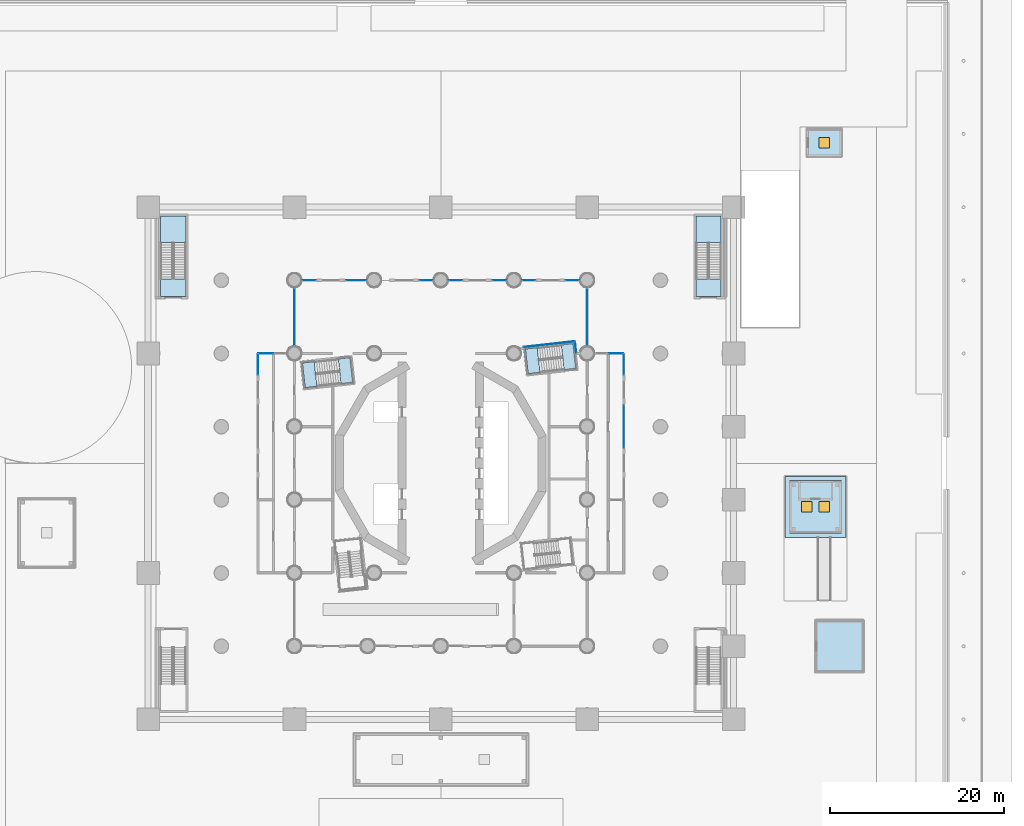
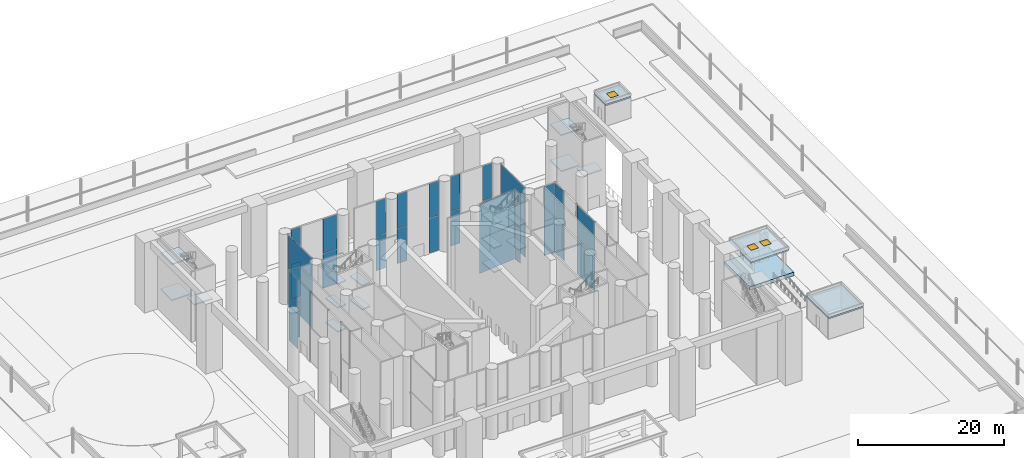
# One storey, part 11 of 52: 32 plates, 20 slabs, 3 windows, 3 openings, 20 elements without a shape of their own.
"""IFC4 building model written with IfcOpenShell, lengths in metres."""

from ifc_helpers import new_model, si_unit, direction, frame, origin, origin_2d, place, context, subcontext, project, spatial, polyline, rectangle, outline, extrude, material, layer, layer_set, type_object, element, fill, aggregate, save


model = new_model("IFC4")

# Units and contexts
model_context = context("Model", 3, precision=1e-05, world=origin(), true_north=direction((0.0, 1.0)))
body_context = subcontext(model_context, "Body", "Model", "MODEL_VIEW")
ifc_project = project(units=[si_unit("LENGTHUNIT", "METRE"), si_unit("AREAUNIT", "SQUARE_METRE"), si_unit("VOLUMEUNIT", "CUBIC_METRE"), si_unit("PLANEANGLEUNIT", "RADIAN"), si_unit("MASSUNIT", "GRAM", prefix="KILO")], contexts=[model_context])

# Site, building, storey
site_placement = place(None, origin())
site = spatial("IfcSite", under=ifc_project, at=site_placement, CompositionType="ELEMENT")
building_placement = place(site_placement, origin())
building = spatial("IfcBuilding", under=site, at=building_placement, Name="Cantera Rosa Tower", CompositionType="ELEMENT")
storey_placement = place(building_placement, origin())
storey = spatial("IfcBuildingStorey", under=building, at=storey_placement, Name="L00", CompositionType="ELEMENT", Elevation=0.0)

# Curtain wall, plates
ifc_material_1 = material(Name="Glass", Category="glass")
curtain_wall_type = type_object("IfcCurtainWallType", Name="Pavilion curtain wall", PredefinedType="NOTDEFINED", material=ifc_material_1)
curtain_wall_1_placement = place(storey_placement, origin())
curtain_wall_1 = element("IfcCurtainWall", 1, at=curtain_wall_1_placement, inside=storey, type_object=curtain_wall_type, Name="Pavilion curtain wall CAFE 1", PredefinedType="NOTDEFINED")
ifc_material_2 = material(Name="Glass", Category="glass")
ifc_layer_1 = layer(ifc_material_2, 0.028076171875)
ifc_layer_set_1 = layer_set([ifc_layer_1], Name="Glazing panel pavilion")
plate_type = type_object("IfcPlateType", Name="Glazing panel pavilion", PredefinedType="CURTAIN_PANEL", material=ifc_layer_set_1)
plate_1_placement = place(storey_placement, frame((21.0, 4.199951171875, 0.06005859375), z_axis=(0.0, 0.0, 1.0), x_axis=(0.0, 1.0, 0.0)))
plate_1 = element("IfcPlate", 2, at=plate_1_placement, type_object=plate_type, Name="CW6 panel 1.1", PredefinedType="CURTAIN_PANEL", context=body_context, shape_type="SweptSolid", body=[
    extrude(rectangle(XDim=4.8798828125, YDim=0.028076171875, at=origin_2d()), origin(), (0.0, 0.0, 1.0), 5.760009765625),
])
plate_2_placement = place(storey_placement, frame((21.0, 4.199951171875, 5.8798828125), z_axis=(0.0, 0.0, 1.0), x_axis=(0.0, 1.0, 0.0)))
plate_2 = element("IfcPlate", 3, at=plate_2_placement, type_object=plate_type, Name="CW6 panel 1.2", PredefinedType="CURTAIN_PANEL", context=body_context, shape_type="SweptSolid", body=[
    extrude(rectangle(XDim=4.8798828125, YDim=0.028076171875, at=origin_2d()), origin(), (0.0, 0.0, 1.0), 5.760009765625),
])
aggregate(curtain_wall_1, [plate_1, plate_2])

curtain_wall_2_placement = place(storey_placement, origin())
curtain_wall_2 = element("IfcCurtainWall", 4, at=curtain_wall_2_placement, inside=storey, type_object=curtain_wall_type, Name="Pavilion curtain wall CAFE 1", PredefinedType="NOTDEFINED")
plate_3_placement = place(storey_placement, frame((21.0, 11.35009765625, 0.06005859375), z_axis=(0.0, 0.0, 1.0), x_axis=(0.0, 1.0, 0.0)))
plate_3 = element("IfcPlate", 5, at=plate_3_placement, type_object=plate_type, Name="CW6 panel 1.1", PredefinedType="CURTAIN_PANEL", context=body_context, shape_type="SweptSolid", body=[
    extrude(rectangle(XDim=2.3798828125, YDim=0.028076171875, at=origin_2d()), origin(), (0.0, 0.0, 1.0), 5.760009765625),
])
plate_4_placement = place(storey_placement, frame((21.0, 11.35009765625, 5.8798828125), z_axis=(0.0, 0.0, 1.0), x_axis=(0.0, 1.0, 0.0)))
plate_4 = element("IfcPlate", 6, at=plate_4_placement, type_object=plate_type, Name="CW6 panel 1.2", PredefinedType="CURTAIN_PANEL", context=body_context, shape_type="SweptSolid", body=[
    extrude(rectangle(XDim=2.3798828125, YDim=0.028076171875, at=origin_2d()), origin(), (0.0, 0.0, 1.0), 5.760009765625),
])
aggregate(curtain_wall_2, [plate_3, plate_4])

curtain_wall_3_placement = place(storey_placement, origin())
curtain_wall_3 = element("IfcCurtainWall", 7, at=curtain_wall_3_placement, inside=storey, type_object=curtain_wall_type, Name="Pavilion curtain wall CAFE 2", PredefinedType="NOTDEFINED")
plate_5_placement = place(storey_placement, frame((20.10009765625, 12.60009765625, 0.06005859375), z_axis=(0.0, 0.0, 1.0), x_axis=(-1.0, 0.0, 0.0)))
plate_5 = element("IfcPlate", 8, at=plate_5_placement, type_object=plate_type, Name="CW6 panel 1.1", PredefinedType="CURTAIN_PANEL", context=body_context, shape_type="SweptSolid", body=[
    extrude(rectangle(XDim=1.679931640625, YDim=0.028076171875, at=origin_2d()), origin(), (0.0, 0.0, 1.0), 5.760009765625),
])
plate_6_placement = place(storey_placement, frame((20.10009765625, 12.60009765625, 5.8798828125), z_axis=(0.0, 0.0, 1.0), x_axis=(-1.0, 0.0, 0.0)))
plate_6 = element("IfcPlate", 9, at=plate_6_placement, type_object=plate_type, Name="CW6 panel 1.2", PredefinedType="CURTAIN_PANEL", context=body_context, shape_type="SweptSolid", body=[
    extrude(rectangle(XDim=1.679931640625, YDim=0.028076171875, at=origin_2d()), origin(), (0.0, 0.0, 1.0), 5.760009765625),
])
aggregate(curtain_wall_3, [plate_5, plate_6])

curtain_wall_4_placement = place(storey_placement, origin())
curtain_wall_4 = element("IfcCurtainWall", 10, at=curtain_wall_4_placement, inside=storey, type_object=curtain_wall_type, Name="Pavilion curtain wall HOTEL 3", PredefinedType="NOTDEFINED")
plate_7_placement = place(storey_placement, frame((-1.679931640625, 21.0, 0.06005859375), z_axis=(0.0, 0.0, 1.0), x_axis=(1.0, 0.0, 0.0)))
plate_7 = element("IfcPlate", 11, at=plate_7_placement, type_object=plate_type, Name="CW6 panel 1.1", PredefinedType="CURTAIN_PANEL", context=body_context, shape_type="SweptSolid", body=[
    extrude(rectangle(XDim=1.52001953125, YDim=0.028076171875, at=origin_2d()), origin(), (0.0, 0.0, 1.0), 5.760009765625),
])
plate_8_placement = place(storey_placement, frame((-1.679931640625, 21.0, 5.8798828125), z_axis=(0.0, 0.0, 1.0), x_axis=(1.0, 0.0, 0.0)))
plate_8 = element("IfcPlate", 12, at=plate_8_placement, type_object=plate_type, Name="CW6 panel 1.2", PredefinedType="CURTAIN_PANEL", context=body_context, shape_type="SweptSolid", body=[
    extrude(rectangle(XDim=1.52001953125, YDim=0.028076171875, at=origin_2d()), origin(), (0.0, 0.0, 1.0), 5.760009765625),
])
aggregate(curtain_wall_4, [plate_7, plate_8])

curtain_wall_5_placement = place(storey_placement, origin())
curtain_wall_5 = element("IfcCurtainWall", 13, at=curtain_wall_5_placement, inside=storey, type_object=curtain_wall_type, Name="Pavilion curtain wall HOTEL 3", PredefinedType="NOTDEFINED")
plate_9_placement = place(storey_placement, frame((1.679931640625, 21.0, 0.06005859375), z_axis=(0.0, 0.0, 1.0), x_axis=(1.0, 0.0, 0.0)))
plate_9 = element("IfcPlate", 14, at=plate_9_placement, type_object=plate_type, Name="CW6 panel 1.1", PredefinedType="CURTAIN_PANEL", context=body_context, shape_type="SweptSolid", body=[
    extrude(rectangle(XDim=1.52001953125, YDim=0.028076171875, at=origin_2d()), origin(), (0.0, 0.0, 1.0), 5.760009765625),
])
plate_10_placement = place(storey_placement, frame((1.679931640625, 21.0, 5.8798828125), z_axis=(0.0, 0.0, 1.0), x_axis=(1.0, 0.0, 0.0)))
plate_10 = element("IfcPlate", 15, at=plate_10_placement, type_object=plate_type, Name="CW6 panel 1.2", PredefinedType="CURTAIN_PANEL", context=body_context, shape_type="SweptSolid", body=[
    extrude(rectangle(XDim=1.52001953125, YDim=0.028076171875, at=origin_2d()), origin(), (0.0, 0.0, 1.0), 5.760009765625),
])
aggregate(curtain_wall_5, [plate_9, plate_10])

curtain_wall_6_placement = place(storey_placement, origin())
curtain_wall_6 = element("IfcCurtainWall", 16, at=curtain_wall_6_placement, inside=storey, type_object=curtain_wall_type, Name="Pavilion curtain wall HOTEL 3", PredefinedType="NOTDEFINED")
plate_11_placement = place(storey_placement, frame((6.719970703125, 21.0, 0.06005859375), z_axis=(0.0, 0.0, 1.0), x_axis=(1.0, 0.0, 0.0)))
plate_11 = element("IfcPlate", 17, at=plate_11_placement, type_object=plate_type, Name="CW6 panel 1.1", PredefinedType="CURTAIN_PANEL", context=body_context, shape_type="SweptSolid", body=[
    extrude(rectangle(XDim=1.52001953125, YDim=0.028076171875, at=origin_2d()), origin(), (0.0, 0.0, 1.0), 5.760009765625),
])
plate_12_placement = place(storey_placement, frame((6.719970703125, 21.0, 5.8798828125), z_axis=(0.0, 0.0, 1.0), x_axis=(1.0, 0.0, 0.0)))
plate_12 = element("IfcPlate", 18, at=plate_12_placement, type_object=plate_type, Name="CW6 panel 1.2", PredefinedType="CURTAIN_PANEL", context=body_context, shape_type="SweptSolid", body=[
    extrude(rectangle(XDim=1.52001953125, YDim=0.028076171875, at=origin_2d()), origin(), (0.0, 0.0, 1.0), 5.760009765625),
])
aggregate(curtain_wall_6, [plate_11, plate_12])

curtain_wall_7_placement = place(storey_placement, origin())
curtain_wall_7 = element("IfcCurtainWall", 19, at=curtain_wall_7_placement, inside=storey, type_object=curtain_wall_type, Name="Pavilion curtain wall HOTEL 3", PredefinedType="NOTDEFINED")
plate_13_placement = place(storey_placement, frame((10.080078125, 21.0, 0.06005859375), z_axis=(0.0, 0.0, 1.0), x_axis=(1.0, 0.0, 0.0)))
plate_13 = element("IfcPlate", 20, at=plate_13_placement, type_object=plate_type, Name="CW6 panel 1.1", PredefinedType="CURTAIN_PANEL", context=body_context, shape_type="SweptSolid", body=[
    extrude(rectangle(XDim=1.52001953125, YDim=0.028076171875, at=origin_2d()), origin(), (0.0, 0.0, 1.0), 5.760009765625),
])
plate_14_placement = place(storey_placement, frame((10.080078125, 21.0, 5.8798828125), z_axis=(0.0, 0.0, 1.0), x_axis=(1.0, 0.0, 0.0)))
plate_14 = element("IfcPlate", 21, at=plate_14_placement, type_object=plate_type, Name="CW6 panel 1.2", PredefinedType="CURTAIN_PANEL", context=body_context, shape_type="SweptSolid", body=[
    extrude(rectangle(XDim=1.52001953125, YDim=0.028076171875, at=origin_2d()), origin(), (0.0, 0.0, 1.0), 5.760009765625),
])
aggregate(curtain_wall_7, [plate_13, plate_14])

curtain_wall_8_placement = place(storey_placement, origin())
curtain_wall_8 = element("IfcCurtainWall", 22, at=curtain_wall_8_placement, inside=storey, type_object=curtain_wall_type, Name="Pavilion curtain wall HOTEL 3", PredefinedType="NOTDEFINED")
plate_15_placement = place(storey_placement, frame((15.1201171875, 21.0, 0.06005859375), z_axis=(0.0, 0.0, 1.0), x_axis=(1.0, 0.0, 0.0)))
plate_15 = element("IfcPlate", 23, at=plate_15_placement, type_object=plate_type, Name="CW6 panel 1.1", PredefinedType="CURTAIN_PANEL", context=body_context, shape_type="SweptSolid", body=[
    extrude(rectangle(XDim=1.52001953125, YDim=0.028076171875, at=origin_2d()), origin(), (0.0, 0.0, 1.0), 5.760009765625),
])
plate_16_placement = place(storey_placement, frame((15.1201171875, 21.0, 5.8798828125), z_axis=(0.0, 0.0, 1.0), x_axis=(1.0, 0.0, 0.0)))
plate_16 = element("IfcPlate", 24, at=plate_16_placement, type_object=plate_type, Name="CW6 panel 1.2", PredefinedType="CURTAIN_PANEL", context=body_context, shape_type="SweptSolid", body=[
    extrude(rectangle(XDim=1.52001953125, YDim=0.028076171875, at=origin_2d()), origin(), (0.0, 0.0, 1.0), 5.760009765625),
])
aggregate(curtain_wall_8, [plate_15, plate_16])

curtain_wall_9_placement = place(storey_placement, origin())
curtain_wall_9 = element("IfcCurtainWall", 25, at=curtain_wall_9_placement, inside=storey, type_object=curtain_wall_type, Name="Pavilion curtain wall HOTEL 4", PredefinedType="NOTDEFINED")
plate_17_placement = place(storey_placement, frame((16.800048828125, 16.800048828125, 0.06005859375), z_axis=(0.0, 0.0, 1.0), x_axis=(0.0, -1.0, 0.0)))
plate_17 = element("IfcPlate", 26, at=plate_17_placement, type_object=plate_type, Name="CW6 panel 1.1", PredefinedType="CURTAIN_PANEL", context=body_context, shape_type="SweptSolid", body=[
    extrude(rectangle(XDim=6.56005859375, YDim=0.028076171875, at=origin_2d()), origin(), (0.0, 0.0, 1.0), 5.760009765625),
])
plate_18_placement = place(storey_placement, frame((16.800048828125, 16.800048828125, 5.8798828125), z_axis=(0.0, 0.0, 1.0), x_axis=(0.0, -1.0, 0.0)))
plate_18 = element("IfcPlate", 27, at=plate_18_placement, type_object=plate_type, Name="CW6 panel 1.2", PredefinedType="CURTAIN_PANEL", context=body_context, shape_type="SweptSolid", body=[
    extrude(rectangle(XDim=6.56005859375, YDim=0.028076171875, at=origin_2d()), origin(), (0.0, 0.0, 1.0), 5.760009765625),
])
aggregate(curtain_wall_9, [plate_17, plate_18])

curtain_wall_10_placement = place(storey_placement, origin())
curtain_wall_10 = element("IfcCurtainWall", 28, at=curtain_wall_10_placement, inside=storey, type_object=curtain_wall_type, Name="Pavilion curtain wall HOTEL 5", PredefinedType="NOTDEFINED")
plate_19_placement = place(storey_placement, frame((15.474365234375, 13.2978515625, 0.06005859375), z_axis=(0.0, 0.0, 1.0), x_axis=(-0.110314278719, 0.993896755156, 0.0)))
plate_19 = element("IfcPlate", 29, at=plate_19_placement, type_object=plate_type, Name="CW6 panel 1.1", PredefinedType="CURTAIN_PANEL", context=body_context, shape_type="SweptSolid", body=[
    extrude(rectangle(XDim=1.2841796875, YDim=0.028076171875, at=origin_2d()), origin(), (0.0, 0.0, 1.0), 5.760009765625),
])
plate_20_placement = place(storey_placement, frame((15.474365234375, 13.2978515625, 5.8798828125), z_axis=(0.0, 0.0, 1.0), x_axis=(-0.110314278719, 0.993896755156, 0.0)))
plate_20 = element("IfcPlate", 30, at=plate_20_placement, type_object=plate_type, Name="CW6 panel 1.2", PredefinedType="CURTAIN_PANEL", context=body_context, shape_type="SweptSolid", body=[
    extrude(rectangle(XDim=1.2841796875, YDim=0.028076171875, at=origin_2d()), origin(), (0.0, 0.0, 1.0), 5.760009765625),
])
aggregate(curtain_wall_10, [plate_19, plate_20])

curtain_wall_11_placement = place(storey_placement, origin())
curtain_wall_11 = element("IfcCurtainWall", 31, at=curtain_wall_11_placement, inside=storey, type_object=curtain_wall_type, Name="Pavilion curtain wall HOTEL 6", PredefinedType="NOTDEFINED")
plate_21_placement = place(storey_placement, frame((12.415283203125, 13.664794921875, 0.06005859375), z_axis=(0.0, 0.0, 1.0), x_axis=(-0.993896532825, -0.110316281838, 0.0)))
plate_21 = element("IfcPlate", 32, at=plate_21_placement, type_object=plate_type, Name="CW6 panel 1.1", PredefinedType="CURTAIN_PANEL", context=body_context, shape_type="SweptSolid", body=[
    extrude(rectangle(XDim=5.880126953125, YDim=0.028076171875, at=origin_2d()), origin(), (0.0, 0.0, 1.0), 5.760009765625),
])
plate_22_placement = place(storey_placement, frame((12.415283203125, 13.664794921875, 5.8798828125), z_axis=(0.0, 0.0, 1.0), x_axis=(-0.993896532825, -0.110316281838, 0.0)))
plate_22 = element("IfcPlate", 33, at=plate_22_placement, type_object=plate_type, Name="CW6 panel 1.2", PredefinedType="CURTAIN_PANEL", context=body_context, shape_type="SweptSolid", body=[
    extrude(rectangle(XDim=5.880126953125, YDim=0.028076171875, at=origin_2d()), origin(), (0.0, 0.0, 1.0), 5.760009765625),
])
aggregate(curtain_wall_11, [plate_21, plate_22])

curtain_wall_12_placement = place(storey_placement, origin())
curtain_wall_12 = element("IfcCurtainWall", 34, at=curtain_wall_12_placement, inside=storey, type_object=curtain_wall_type, Name="Pavilion curtain wall LOUNGE 8", PredefinedType="NOTDEFINED")
plate_23_placement = place(storey_placement, frame((-20.10009765625, 12.60009765625, 0.06005859375), z_axis=(0.0, 0.0, 1.0), x_axis=(-1.0, 0.0, 0.0)))
plate_23 = element("IfcPlate", 35, at=plate_23_placement, type_object=plate_type, Name="CW6 panel 1.1", PredefinedType="CURTAIN_PANEL", context=body_context, shape_type="SweptSolid", body=[
    extrude(rectangle(XDim=1.679931640625, YDim=0.028076171875, at=origin_2d()), origin(), (0.0, 0.0, 1.0), 5.760009765625),
])
plate_24_placement = place(storey_placement, frame((-20.10009765625, 12.60009765625, 5.8798828125), z_axis=(0.0, 0.0, 1.0), x_axis=(-1.0, 0.0, 0.0)))
plate_24 = element("IfcPlate", 36, at=plate_24_placement, type_object=plate_type, Name="CW6 panel 1.2", PredefinedType="CURTAIN_PANEL", context=body_context, shape_type="SweptSolid", body=[
    extrude(rectangle(XDim=1.679931640625, YDim=0.028076171875, at=origin_2d()), origin(), (0.0, 0.0, 1.0), 5.760009765625),
])
aggregate(curtain_wall_12, [plate_23, plate_24])

curtain_wall_13_placement = place(storey_placement, origin())
curtain_wall_13 = element("IfcCurtainWall", 37, at=curtain_wall_13_placement, inside=storey, type_object=curtain_wall_type, Name="Pavilion curtain wall LOUNGE 9", PredefinedType="NOTDEFINED")
plate_25_placement = place(storey_placement, frame((-21.0, 11.35009765625, 0.06005859375), z_axis=(0.0, 0.0, 1.0), x_axis=(0.0, -1.0, 0.0)))
plate_25 = element("IfcPlate", 38, at=plate_25_placement, type_object=plate_type, Name="CW6 panel 1.1", PredefinedType="CURTAIN_PANEL", context=body_context, shape_type="SweptSolid", body=[
    extrude(rectangle(XDim=2.3798828125, YDim=0.028076171875, at=origin_2d()), origin(), (0.0, 0.0, 1.0), 5.760009765625),
])
plate_26_placement = place(storey_placement, frame((-21.0, 11.35009765625, 5.8798828125), z_axis=(0.0, 0.0, 1.0), x_axis=(0.0, -1.0, 0.0)))
plate_26 = element("IfcPlate", 39, at=plate_26_placement, type_object=plate_type, Name="CW6 panel 1.2", PredefinedType="CURTAIN_PANEL", context=body_context, shape_type="SweptSolid", body=[
    extrude(rectangle(XDim=2.3798828125, YDim=0.028076171875, at=origin_2d()), origin(), (0.0, 0.0, 1.0), 5.760009765625),
])
aggregate(curtain_wall_13, [plate_25, plate_26])

curtain_wall_14_placement = place(storey_placement, origin())
curtain_wall_14 = element("IfcCurtainWall", 40, at=curtain_wall_14_placement, inside=storey, type_object=curtain_wall_type, Name="Pavilion curtain wall RECEP 10", PredefinedType="NOTDEFINED")
plate_27_placement = place(storey_placement, frame((-16.800048828125, 16.800048828125, 0.06005859375), z_axis=(0.0, 0.0, 1.0), x_axis=(0.0, 1.0, 0.0)))
plate_27 = element("IfcPlate", 41, at=plate_27_placement, type_object=plate_type, Name="CW6 panel 1.1", PredefinedType="CURTAIN_PANEL", context=body_context, shape_type="SweptSolid", body=[
    extrude(rectangle(XDim=6.56005859375, YDim=0.028076171875, at=origin_2d()), origin(), (0.0, 0.0, 1.0), 5.760009765625),
])
plate_28_placement = place(storey_placement, frame((-16.800048828125, 16.800048828125, 5.8798828125), z_axis=(0.0, 0.0, 1.0), x_axis=(0.0, 1.0, 0.0)))
plate_28 = element("IfcPlate", 42, at=plate_28_placement, type_object=plate_type, Name="CW6 panel 1.2", PredefinedType="CURTAIN_PANEL", context=body_context, shape_type="SweptSolid", body=[
    extrude(rectangle(XDim=6.56005859375, YDim=0.028076171875, at=origin_2d()), origin(), (0.0, 0.0, 1.0), 5.760009765625),
])
aggregate(curtain_wall_14, [plate_27, plate_28])

curtain_wall_15_placement = place(storey_placement, origin())
curtain_wall_15 = element("IfcCurtainWall", 43, at=curtain_wall_15_placement, inside=storey, type_object=curtain_wall_type, Name="Pavilion curtain wall RECEP 11", PredefinedType="NOTDEFINED")
plate_29_placement = place(storey_placement, frame((-15.1201171875, 21.0, 0.06005859375), z_axis=(0.0, 0.0, 1.0), x_axis=(1.0, 0.0, 0.0)))
plate_29 = element("IfcPlate", 44, at=plate_29_placement, type_object=plate_type, Name="CW6 panel 1.1", PredefinedType="CURTAIN_PANEL", context=body_context, shape_type="SweptSolid", body=[
    extrude(rectangle(XDim=1.52001953125, YDim=0.028076171875, at=origin_2d()), origin(), (0.0, 0.0, 1.0), 5.760009765625),
])
plate_30_placement = place(storey_placement, frame((-15.1201171875, 21.0, 5.8798828125), z_axis=(0.0, 0.0, 1.0), x_axis=(1.0, 0.0, 0.0)))
plate_30 = element("IfcPlate", 45, at=plate_30_placement, type_object=plate_type, Name="CW6 panel 1.2", PredefinedType="CURTAIN_PANEL", context=body_context, shape_type="SweptSolid", body=[
    extrude(rectangle(XDim=1.52001953125, YDim=0.028076171875, at=origin_2d()), origin(), (0.0, 0.0, 1.0), 5.760009765625),
])
aggregate(curtain_wall_15, [plate_29, plate_30])

curtain_wall_16_placement = place(storey_placement, origin())
curtain_wall_16 = element("IfcCurtainWall", 46, at=curtain_wall_16_placement, inside=storey, type_object=curtain_wall_type, Name="Pavilion curtain wall RECEP 11", PredefinedType="NOTDEFINED")
plate_31_placement = place(storey_placement, frame((-9.705078125, 21.0, 0.06005859375), z_axis=(0.0, 0.0, 1.0), x_axis=(1.0, 0.0, 0.0)))
plate_31 = element("IfcPlate", 47, at=plate_31_placement, type_object=plate_type, Name="CW6 panel 1.1", PredefinedType="CURTAIN_PANEL", context=body_context, shape_type="SweptSolid", body=[
    extrude(rectangle(XDim=2.27001953125, YDim=0.028076171875, at=origin_2d()), origin(), (0.0, 0.0, 1.0), 5.760009765625),
])
plate_32_placement = place(storey_placement, frame((-9.705078125, 21.0, 5.8798828125), z_axis=(0.0, 0.0, 1.0), x_axis=(1.0, 0.0, 0.0)))
plate_32 = element("IfcPlate", 48, at=plate_32_placement, type_object=plate_type, Name="CW6 panel 1.2", PredefinedType="CURTAIN_PANEL", context=body_context, shape_type="SweptSolid", body=[
    extrude(rectangle(XDim=2.27001953125, YDim=0.028076171875, at=origin_2d()), origin(), (0.0, 0.0, 1.0), 5.760009765625),
])
aggregate(curtain_wall_16, [plate_31, plate_32])

# Slab
ifc_material_3 = material(Name="Concrete C35/45", Category="concrete")
ifc_layer_2 = layer(ifc_material_3, 0.60009765625)
ifc_layer_set_2 = layer_set([ifc_layer_2], Name="Pavilion plinth slab 600")
slab_type_1 = type_object("IfcSlabType", Name="Pavilion plinth slab 600", PredefinedType="FLOOR", material=ifc_layer_set_2)
slab_1_placement = place(storey_placement, origin())
element("IfcSlab", 49, at=slab_1_placement, inside=storey, type_object=slab_type_1, Name="Plinth of the tea pavilion", PredefinedType="FLOOR", context=body_context, shape_type="SweptSolid", body=[
    extrude(outline(polyline([(46.5, -8.5), (46.5, -1.5), (39.5, -1.5), (39.5, -8.5), (46.5, -8.5)])), origin(), (0.0, 0.0, 1.0), 0.60009765625),
])

# Slab, opening, window
ifc_material_4 = material(Name="Concrete C35/45", Category="concrete")
ifc_layer_3 = layer(ifc_material_4, 0.25)
ifc_layer_set_3 = layer_set([ifc_layer_3], Name="Pavilion roof slab 250")
slab_type_2 = type_object("IfcSlabType", Name="Pavilion roof slab 250", PredefinedType="ROOF", material=ifc_layer_set_3)
slab_2_placement = place(storey_placement, frame((0.0, 0.0, 3.39990234375)))
slab_2 = element("IfcSlab", 50, at=slab_2_placement, inside=storey, type_object=slab_type_2, Name="Roof of the car park gatehouse", PredefinedType="ROOF", context=body_context, shape_type="SweptSolid", body=[
    extrude(outline(polyline([(46.0, 35.199951171875), (46.0, 38.39990234375), (42.0, 38.39990234375), (42.0, 35.199951171875), (46.0, 35.199951171875)])), origin(), (0.0, 0.0, 1.0), 0.25),
])
opening_1_placement = place(slab_2_placement, frame((44.0, 36.800048828125, 0.0)))
opening_1 = element("IfcOpeningElement", 51, at=opening_1_placement, cuts=slab_2, Name="Opening SK-GATE-1", PredefinedType="OPENING", context=body_context, shape_type="SweptSolid", body=[
    extrude(rectangle(XDim=1.199951171875, YDim=1.199951171875, at=origin_2d()), origin(), (0.0, 0.0, 1.0), 0.25),
])
ifc_material_5 = material(Name="Glass", Category="glass")
window_type = type_object("IfcWindowType", Name="Roof light unit 1200x1200", PartitioningType="SINGLE_PANEL", PredefinedType="SKYLIGHT", material=ifc_material_5)
window_1_placement = place(opening_1_placement, frame((0.0, 0.0, 0.199951171875)))
window_1 = element("IfcWindow", 52, at=window_1_placement, inside=storey, type_object=window_type, Name="Roof light car park gatehouse 1", OverallHeight=1.199951171875, OverallWidth=1.199951171875, PartitioningType="SINGLE_PANEL", PredefinedType="SKYLIGHT", context=body_context, shape_type="SweptSolid", body=[
    extrude(rectangle(XDim=1.199951171875, YDim=1.199951171875, at=origin_2d()), origin(), (0.0, 0.0, 1.0), 0.050048828125),
])
fill(opening_1, window_1)

# Slab
slab_3_placement = place(storey_placement, frame((0.0, 0.0, 3.39990234375)))
element("IfcSlab", 53, at=slab_3_placement, inside=storey, type_object=slab_type_2, Name="Roof of the electrical substation kiosk", PredefinedType="ROOF", context=body_context, shape_type="SweptSolid", body=[
    extrude(outline(polyline([(48.5, -24.0), (48.5, -18.0), (43.0, -18.0), (43.0, -24.0), (48.5, -24.0)])), origin(), (0.0, 0.0, 1.0), 0.25),
])

# Slab, openings, windows
slab_4_placement = place(storey_placement, frame((0.0, 0.0, 4.0)))
slab_4 = element("IfcSlab", 54, at=slab_4_placement, inside=storey, type_object=slab_type_2, Name="Roof of the tea pavilion", PredefinedType="ROOF", context=body_context, shape_type="SweptSolid", body=[
    extrude(outline(polyline([(46.0, -8.0), (46.0, -2.0), (40.0, -2.0), (40.0, -8.0), (46.0, -8.0)])), origin(), (0.0, 0.0, 1.0), 0.25),
])
opening_2_placement = place(slab_4_placement, frame((42.0, -5.0, 0.0)))
opening_2 = element("IfcOpeningElement", 55, at=opening_2_placement, cuts=slab_4, Name="Opening SK-TEA-1", PredefinedType="OPENING", context=body_context, shape_type="SweptSolid", body=[
    extrude(rectangle(XDim=1.199951171875, YDim=1.199951171875, at=origin_2d()), origin(), (0.0, 0.0, 1.0), 0.25),
])
opening_3_placement = place(slab_4_placement, frame((44.0, -5.0, 0.0)))
opening_3 = element("IfcOpeningElement", 56, at=opening_3_placement, cuts=slab_4, Name="Opening SK-TEA-2", PredefinedType="OPENING", context=body_context, shape_type="SweptSolid", body=[
    extrude(rectangle(XDim=1.199951171875, YDim=1.199951171875, at=origin_2d()), origin(), (0.0, 0.0, 1.0), 0.25),
])
window_2_placement = place(opening_2_placement, frame((0.0, 0.0, 0.199951171875)))
window_2 = element("IfcWindow", 57, at=window_2_placement, inside=storey, type_object=window_type, Name="Roof light tea pavilion 1", OverallHeight=1.199951171875, OverallWidth=1.199951171875, PartitioningType="SINGLE_PANEL", PredefinedType="SKYLIGHT", context=body_context, shape_type="SweptSolid", body=[
    extrude(rectangle(XDim=1.199951171875, YDim=1.199951171875, at=origin_2d()), origin(), (0.0, 0.0, 1.0), 0.050048828125),
])
fill(opening_2, window_2)
window_3_placement = place(opening_3_placement, frame((0.0, 0.0, 0.199951171875)))
window_3 = element("IfcWindow", 58, at=window_3_placement, inside=storey, type_object=window_type, Name="Roof light tea pavilion 2", OverallHeight=1.199951171875, OverallWidth=1.199951171875, PartitioningType="SINGLE_PANEL", PredefinedType="SKYLIGHT", context=body_context, shape_type="SweptSolid", body=[
    extrude(rectangle(XDim=1.199951171875, YDim=1.199951171875, at=origin_2d()), origin(), (0.0, 0.0, 1.0), 0.050048828125),
])
fill(opening_3, window_3)

# Stair, slabs
ifc_material_6 = material(Name="Concrete C35/45", Category="concrete")
stair_type_1 = type_object("IfcStairType", Name="EXIT STAIR 1350 DOGLEG", PredefinedType="HALF_TURN_STAIR", material=ifc_material_6)
stair_1_placement = place(storey_placement, origin())
stair_1 = element("IfcStair", 59, at=stair_1_placement, inside=storey, type_object=stair_type_1, Name="L00 ST-11", PredefinedType="HALF_TURN_STAIR")
ifc_material_7 = material(Name="Concrete C35/45", Category="concrete")
ifc_layer_4 = layer(ifc_material_7, 0.199951171875)
ifc_layer_set_4 = layer_set([ifc_layer_4], Name="STAIR LANDING 200")
slab_type_3 = type_object("IfcSlabType", Name="STAIR LANDING 200", PredefinedType="LANDING", material=ifc_layer_set_4)
slab_5_placement = place(storey_placement, frame((0.0, 0.0, 1.800048828125)))
slab_5 = element("IfcSlab", 60, at=slab_5_placement, type_object=slab_type_3, Name="ST-11 landing 1", PredefinedType="LANDING", context=body_context, shape_type="SweptSolid", body=[
    extrude(outline(polyline([(11.063232421875, 13.26318359375), (9.70947265625, 13.113037109375), (10.02392578125, 10.2802734375), (11.377685546875, 10.4306640625), (11.063232421875, 13.26318359375)])), origin(), (0.0, 0.0, 1.0), 0.199951171875),
])
slab_6_placement = place(storey_placement, frame((0.0, 0.0, 3.800048828125)))
slab_6 = element("IfcSlab", 61, at=slab_6_placement, type_object=slab_type_3, Name="ST-11 landing 2", PredefinedType="LANDING", context=body_context, shape_type="SweptSolid", body=[
    extrude(outline(polyline([(15.176025390625, 13.7197265625), (13.822265625, 13.5693359375), (14.13671875, 10.73681640625), (15.490478515625, 10.886962890625), (15.176025390625, 13.7197265625)])), origin(), (0.0, 0.0, 1.0), 0.199951171875),
])
slab_7_placement = place(storey_placement, frame((0.0, 0.0, 5.800048828125)))
slab_7 = element("IfcSlab", 62, at=slab_7_placement, type_object=slab_type_3, Name="ST-11 landing 3", PredefinedType="LANDING", context=body_context, shape_type="SweptSolid", body=[
    extrude(outline(polyline([(11.063232421875, 13.26318359375), (9.70947265625, 13.113037109375), (10.02392578125, 10.2802734375), (11.377685546875, 10.4306640625), (11.063232421875, 13.26318359375)])), origin(), (0.0, 0.0, 1.0), 0.199951171875),
])
slab_8_placement = place(storey_placement, frame((0.0, 0.0, 7.800048828125)))
slab_8 = element("IfcSlab", 63, at=slab_8_placement, type_object=slab_type_3, Name="ST-11 landing 4", PredefinedType="LANDING", context=body_context, shape_type="SweptSolid", body=[
    extrude(outline(polyline([(15.176025390625, 13.7197265625), (13.822265625, 13.5693359375), (14.13671875, 10.73681640625), (15.490478515625, 10.886962890625), (15.176025390625, 13.7197265625)])), origin(), (0.0, 0.0, 1.0), 0.199951171875),
])
slab_9_placement = place(storey_placement, frame((0.0, 0.0, 9.800048828125)))
slab_9 = element("IfcSlab", 64, at=slab_9_placement, type_object=slab_type_3, Name="ST-11 landing 5", PredefinedType="LANDING", context=body_context, shape_type="SweptSolid", body=[
    extrude(outline(polyline([(11.063232421875, 13.26318359375), (9.70947265625, 13.113037109375), (10.02392578125, 10.2802734375), (11.377685546875, 10.4306640625), (11.063232421875, 13.26318359375)])), origin(), (0.0, 0.0, 1.0), 0.199951171875),
])
aggregate(stair_1, [slab_5, slab_6, slab_7, slab_8, slab_9])

stair_2_placement = place(storey_placement, origin())
stair_2 = element("IfcStair", 65, at=stair_2_placement, inside=storey, type_object=stair_type_1, Name="L00 ST-12", PredefinedType="HALF_TURN_STAIR")
slab_10_placement = place(storey_placement, frame((0.0, 0.0, 1.800048828125)))
slab_10 = element("IfcSlab", 66, at=slab_10_placement, type_object=slab_type_3, Name="ST-12 landing 1", PredefinedType="LANDING", context=body_context, shape_type="SweptSolid", body=[
    extrude(outline(polyline([(-14.53662109375, 11.6630859375), (-15.890380859375, 11.512939453125), (-15.575927734375, 8.680419921875), (-14.222412109375, 8.83056640625), (-14.53662109375, 11.6630859375)])), origin(), (0.0, 0.0, 1.0), 0.199951171875),
])
slab_11_placement = place(storey_placement, frame((0.0, 0.0, 3.800048828125)))
slab_11 = element("IfcSlab", 67, at=slab_11_placement, type_object=slab_type_3, Name="ST-12 landing 2", PredefinedType="LANDING", context=body_context, shape_type="SweptSolid", body=[
    extrude(outline(polyline([(-10.424072265625, 12.11962890625), (-11.777587890625, 11.969482421875), (-11.46337890625, 9.13671875), (-10.109619140625, 9.287109375), (-10.424072265625, 12.11962890625)])), origin(), (0.0, 0.0, 1.0), 0.199951171875),
])
slab_12_placement = place(storey_placement, frame((0.0, 0.0, 5.800048828125)))
slab_12 = element("IfcSlab", 68, at=slab_12_placement, type_object=slab_type_3, Name="ST-12 landing 3", PredefinedType="LANDING", context=body_context, shape_type="SweptSolid", body=[
    extrude(outline(polyline([(-14.53662109375, 11.6630859375), (-15.890380859375, 11.512939453125), (-15.575927734375, 8.680419921875), (-14.222412109375, 8.83056640625), (-14.53662109375, 11.6630859375)])), origin(), (0.0, 0.0, 1.0), 0.199951171875),
])
slab_13_placement = place(storey_placement, frame((0.0, 0.0, 7.800048828125)))
slab_13 = element("IfcSlab", 69, at=slab_13_placement, type_object=slab_type_3, Name="ST-12 landing 4", PredefinedType="LANDING", context=body_context, shape_type="SweptSolid", body=[
    extrude(outline(polyline([(-10.424072265625, 12.11962890625), (-11.777587890625, 11.969482421875), (-11.46337890625, 9.13671875), (-10.109619140625, 9.287109375), (-10.424072265625, 12.11962890625)])), origin(), (0.0, 0.0, 1.0), 0.199951171875),
])
slab_14_placement = place(storey_placement, frame((0.0, 0.0, 9.800048828125)))
slab_14 = element("IfcSlab", 70, at=slab_14_placement, type_object=slab_type_3, Name="ST-12 landing 5", PredefinedType="LANDING", context=body_context, shape_type="SweptSolid", body=[
    extrude(outline(polyline([(-14.53662109375, 11.6630859375), (-15.890380859375, 11.512939453125), (-15.575927734375, 8.680419921875), (-14.222412109375, 8.83056640625), (-14.53662109375, 11.6630859375)])), origin(), (0.0, 0.0, 1.0), 0.199951171875),
])
aggregate(stair_2, [slab_10, slab_11, slab_12, slab_13, slab_14])

ifc_material_8 = material(Name="Concrete C35/45", Category="concrete")
stair_type_2 = type_object("IfcStairType", Name="Stair half-turn 1350", PredefinedType="HALF_TURN_STAIR", material=ifc_material_8)
stair_3_placement = place(storey_placement, origin())
stair_3 = element("IfcStair", 71, at=stair_3_placement, inside=storey, type_object=stair_type_2, Name="L00 ST-NE", PredefinedType="HALF_TURN_STAIR")
ifc_material_9 = material(Name="Concrete C35/45", Category="concrete")
ifc_layer_5 = layer(ifc_material_9, 0.199951171875)
ifc_layer_set_5 = layer_set([ifc_layer_5], Name="Stair landing 200")
slab_type_4 = type_object("IfcSlabType", Name="Stair landing 200", PredefinedType="LANDING", material=ifc_layer_set_5)
slab_15_placement = place(storey_placement, frame((0.0, 0.0, 2.800048828125)))
slab_15 = element("IfcSlab", 72, at=slab_15_placement, type_object=slab_type_4, Name="ST-NE landing 1", PredefinedType="LANDING", context=body_context, shape_type="SweptSolid", body=[
    extrude(outline(polyline([(32.175048828125, 25.31298828125), (32.175048828125, 28.375), (29.27490234375, 28.375), (29.27490234375, 25.31298828125), (32.175048828125, 25.31298828125)])), origin(), (0.0, 0.0, 1.0), 0.199951171875),
])
slab_16_placement = place(storey_placement, frame((0.0, 0.0, 5.800048828125)))
slab_16 = element("IfcSlab", 73, at=slab_16_placement, type_object=slab_type_4, Name="ST-NE landing 2", PredefinedType="LANDING", context=body_context, shape_type="SweptSolid", body=[
    extrude(outline(polyline([(32.175048828125, 19.125), (32.175048828125, 21.136962890625), (29.27490234375, 21.136962890625), (29.27490234375, 19.125), (32.175048828125, 19.125)])), origin(), (0.0, 0.0, 1.0), 0.199951171875),
])
slab_17_placement = place(storey_placement, frame((0.0, 0.0, 8.800048828125)))
slab_17 = element("IfcSlab", 74, at=slab_17_placement, type_object=slab_type_4, Name="ST-NE landing 3", PredefinedType="LANDING", context=body_context, shape_type="SweptSolid", body=[
    extrude(outline(polyline([(32.175048828125, 25.31298828125), (32.175048828125, 28.375), (29.27490234375, 28.375), (29.27490234375, 25.31298828125), (32.175048828125, 25.31298828125)])), origin(), (0.0, 0.0, 1.0), 0.199951171875),
])
aggregate(stair_3, [slab_15, slab_16, slab_17])

stair_4_placement = place(storey_placement, origin())
stair_4 = element("IfcStair", 75, at=stair_4_placement, inside=storey, type_object=stair_type_2, Name="L00 ST-NW", PredefinedType="HALF_TURN_STAIR")
slab_18_placement = place(storey_placement, frame((0.0, 0.0, 2.800048828125)))
slab_18 = element("IfcSlab", 76, at=slab_18_placement, type_object=slab_type_4, Name="ST-NW landing 1", PredefinedType="LANDING", context=body_context, shape_type="SweptSolid", body=[
    extrude(outline(polyline([(-29.27490234375, 25.31298828125), (-29.27490234375, 28.375), (-32.175048828125, 28.375), (-32.175048828125, 25.31298828125), (-29.27490234375, 25.31298828125)])), origin(), (0.0, 0.0, 1.0), 0.199951171875),
])
slab_19_placement = place(storey_placement, frame((0.0, 0.0, 5.800048828125)))
slab_19 = element("IfcSlab", 77, at=slab_19_placement, type_object=slab_type_4, Name="ST-NW landing 2", PredefinedType="LANDING", context=body_context, shape_type="SweptSolid", body=[
    extrude(outline(polyline([(-29.27490234375, 19.125), (-29.27490234375, 21.136962890625), (-32.175048828125, 21.136962890625), (-32.175048828125, 19.125), (-29.27490234375, 19.125)])), origin(), (0.0, 0.0, 1.0), 0.199951171875),
])
slab_20_placement = place(storey_placement, frame((0.0, 0.0, 8.800048828125)))
slab_20 = element("IfcSlab", 78, at=slab_20_placement, type_object=slab_type_4, Name="ST-NW landing 3", PredefinedType="LANDING", context=body_context, shape_type="SweptSolid", body=[
    extrude(outline(polyline([(-29.27490234375, 25.31298828125), (-29.27490234375, 28.375), (-32.175048828125, 28.375), (-32.175048828125, 25.31298828125), (-29.27490234375, 25.31298828125)])), origin(), (0.0, 0.0, 1.0), 0.199951171875),
])
aggregate(stair_4, [slab_18, slab_19, slab_20])

save(model, "model.ifc")
